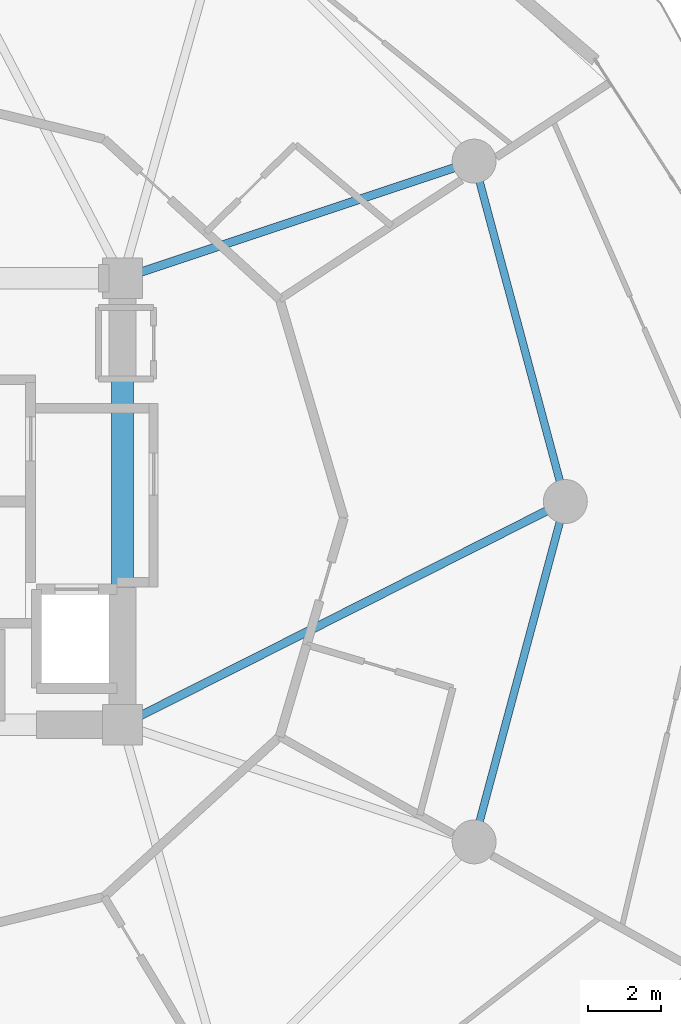
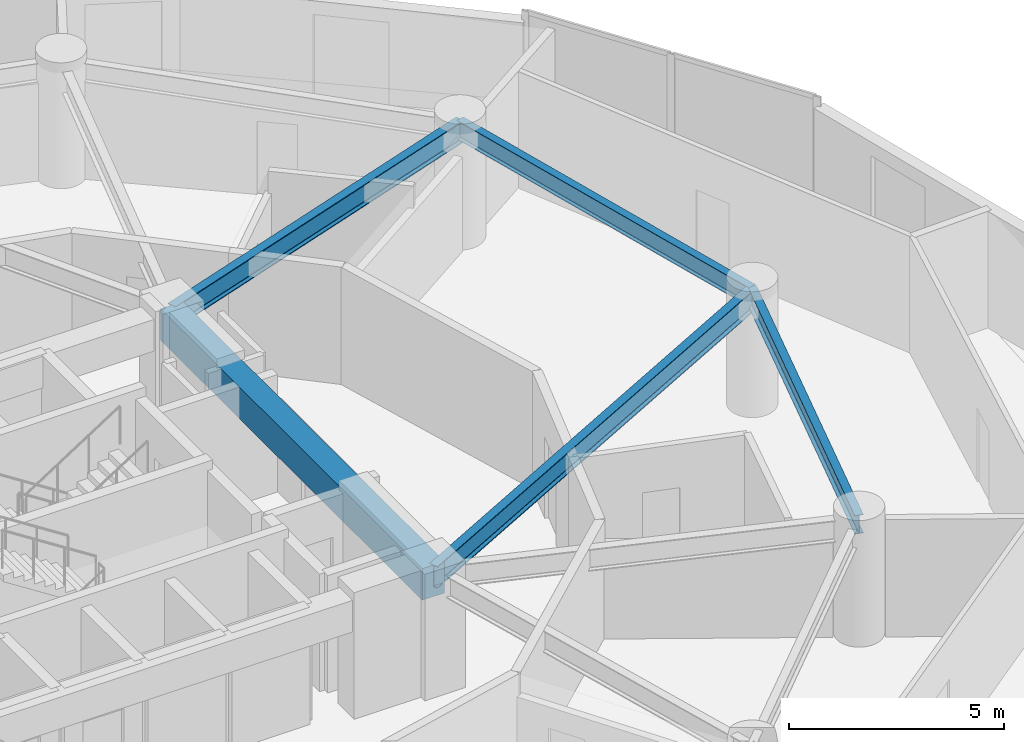
# One storey, part 13 of 26: 5 beams.
"""IFC4 building model written with IfcOpenShell, lengths in metres."""

from ifc_helpers import new_model, si_unit, direction, frame, origin, origin_2d, place, context, subcontext, project, spatial, rectangle, i_section, extrude, material, material_profile, profile_set, type_object, element, save


model = new_model("IFC4")

# Units and contexts
model_context = context("Model", 3, precision=1e-05, world=origin(), true_north=direction((0.0, 1.0)))
body_context = subcontext(model_context, "Body", "Model", "MODEL_VIEW")
ifc_project = project(units=[si_unit("LENGTHUNIT", "METRE"), si_unit("AREAUNIT", "SQUARE_METRE"), si_unit("VOLUMEUNIT", "CUBIC_METRE"), si_unit("PLANEANGLEUNIT", "RADIAN"), si_unit("MASSUNIT", "GRAM", prefix="KILO")], contexts=[model_context])

# Site, building, storey
site_placement = place(None, origin())
site = spatial("IfcSite", under=ifc_project, at=site_placement, CompositionType="ELEMENT")
building_placement = place(site_placement, origin())
building = spatial("IfcBuilding", under=site, at=building_placement, Name="Solvirekh Grand Hotel", CompositionType="ELEMENT")
storey_placement = place(building_placement, frame((0.0, 0.0, 68.0)))
storey = spatial("IfcBuildingStorey", under=building, at=storey_placement, Name="L16", CompositionType="ELEMENT", Elevation=68.0)

# Beams
ifc_material_1 = material(Name="Concrete C50/60", Category="concrete")
ifc_material_profile_1 = material_profile(ifc_material_1, rectangle(XDim=0.60009765625, YDim=0.89990234375, at=origin_2d()), Name="RC BEAM 600X900")
ifc_profile_set_1 = profile_set([ifc_material_profile_1], Name="Concrete C50/60")
beam_type_1 = type_object("IfcBeamType", Name="Beam_Core_RC900", PredefinedType="BEAM", material=ifc_profile_set_1)
beam_1_placement = place(storey_placement, frame((6.5, -6.10009765625, 2.889892578125), z_axis=(0.0, 1.0, 0.0), x_axis=(-1.0, 0.0, 0.0)))
element("IfcBeam", 1, at=beam_1_placement, inside=storey, type_object=beam_type_1, Name="L16 core coupling ring beam 2", PredefinedType="BEAM", context=body_context, shape_type="SweptSolid", body=[
    extrude(rectangle(XDim=0.60009765625, YDim=0.89990234375, at=origin_2d()), origin(), (0.0, 0.0, 1.0), 12.2001953125),
])
ifc_material_2 = material(Name="Steel S355", Category="steel")
ifc_material_profile_2 = material_profile(ifc_material_2, i_section(OverallWidth=0.22998046875, OverallDepth=0.615966796875, WebThickness=0.013916015625, FlangeThickness=0.02392578125, FilletRadius=0.014892578125, at=origin_2d()), Name="W610X174")
ifc_profile_set_2 = profile_set([ifc_material_profile_2], Name="Steel S355")
beam_type_2 = type_object("IfcBeamType", Name="Beam_Primary_W610H", PredefinedType="BEAM", material=ifc_profile_set_2)
beam_2_placement = place(storey_placement, frame((6.5, -6.10009765625, 3.031982421875), z_axis=(0.892944939011, 0.450165898191, 0.0), x_axis=(-0.450165898191, 0.892944939011, 0.0)))
element("IfcBeam", 2, at=beam_2_placement, inside=storey, type_object=beam_type_2, Name="L16 radial floor beam R01", PredefinedType="BEAM", context=body_context, shape_type="SweptSolid", body=[
    extrude(i_section(OverallWidth=0.22998046875, OverallDepth=0.615966796875, WebThickness=0.013916015625, FlangeThickness=0.02392578125, FilletRadius=0.014892578125, at=origin_2d()), origin(), (0.0, 0.0, 1.0), 13.55078125),
])
beam_3_placement = place(storey_placement, frame((6.5, 6.10009765625, 3.031982421875), z_axis=(0.948762825819, 0.315989082635, 0.0), x_axis=(-0.315989082635, 0.948762825819, 0.0)))
element("IfcBeam", 3, at=beam_3_placement, inside=storey, type_object=beam_type_2, Name="L16 radial floor beam R02", PredefinedType="BEAM", context=body_context, shape_type="SweptSolid", body=[
    extrude(i_section(OverallWidth=0.22998046875, OverallDepth=0.615966796875, WebThickness=0.013916015625, FlangeThickness=0.02392578125, FilletRadius=0.014892578125, at=origin_2d()), origin(), (0.0, 0.0, 1.0), 10.126708984375),
])
ifc_material_profile_3 = material_profile(ifc_material_2, i_section(OverallWidth=0.208984375, OverallDepth=0.532958984375, WebThickness=0.010009765625, FlangeThickness=0.014892578125, FilletRadius=0.013916015625, at=origin_2d()), Name="W530X92")
ifc_profile_set_3 = profile_set([ifc_material_profile_3], Name="Steel S355")
beam_type_3 = type_object("IfcBeamType", Name="Spandrel_Ring_W530", PredefinedType="SPANDREL", material=ifc_profile_set_3)
for number, where, z_axis, x_axis, name in (
    (4, (18.60009765625, 0.0, 3.073974609375), (-0.258842973314, 0.965919414426, 0.0), (-0.965919414426, -0.258842973314, 0.0), "L16 perimeter spandrel beam 1"),
    (5, (16.10791015625, -9.300048828125, 3.073974609375), (0.258842973314, 0.965919414426, 0.0), (-0.965919414426, 0.258842973314, 0.0), "L16 perimeter spandrel beam 12"),
):
    element("IfcBeam", number, at=place(storey_placement, frame(where, z_axis=z_axis, x_axis=x_axis)), inside=storey, type_object=beam_type_3, Name=name, PredefinedType="SPANDREL", context=body_context, shape_type="SweptSolid", body=[
        extrude(i_section(OverallWidth=0.208984375, OverallDepth=0.532958984375, WebThickness=0.010009765625, FlangeThickness=0.014892578125, FilletRadius=0.013916015625, at=origin_2d()), origin(), (0.0, 0.0, 1.0), 9.628173828125),
    ])

save(model, "model.ifc")
